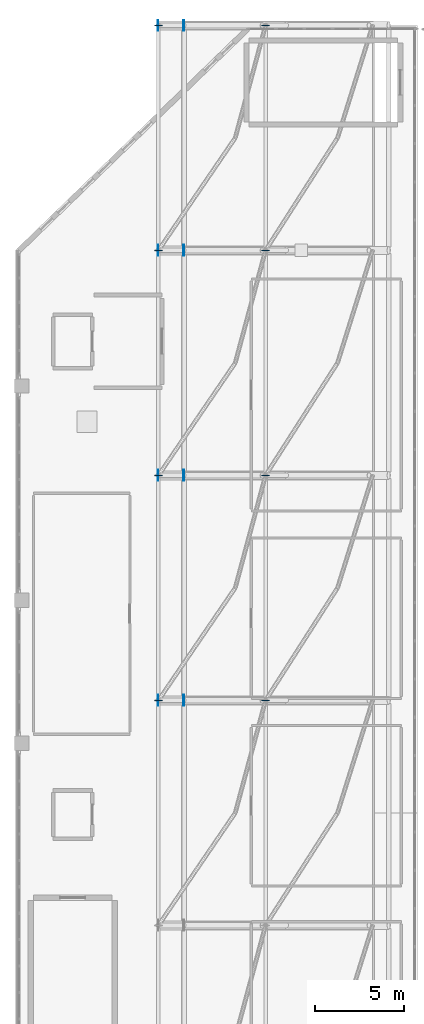
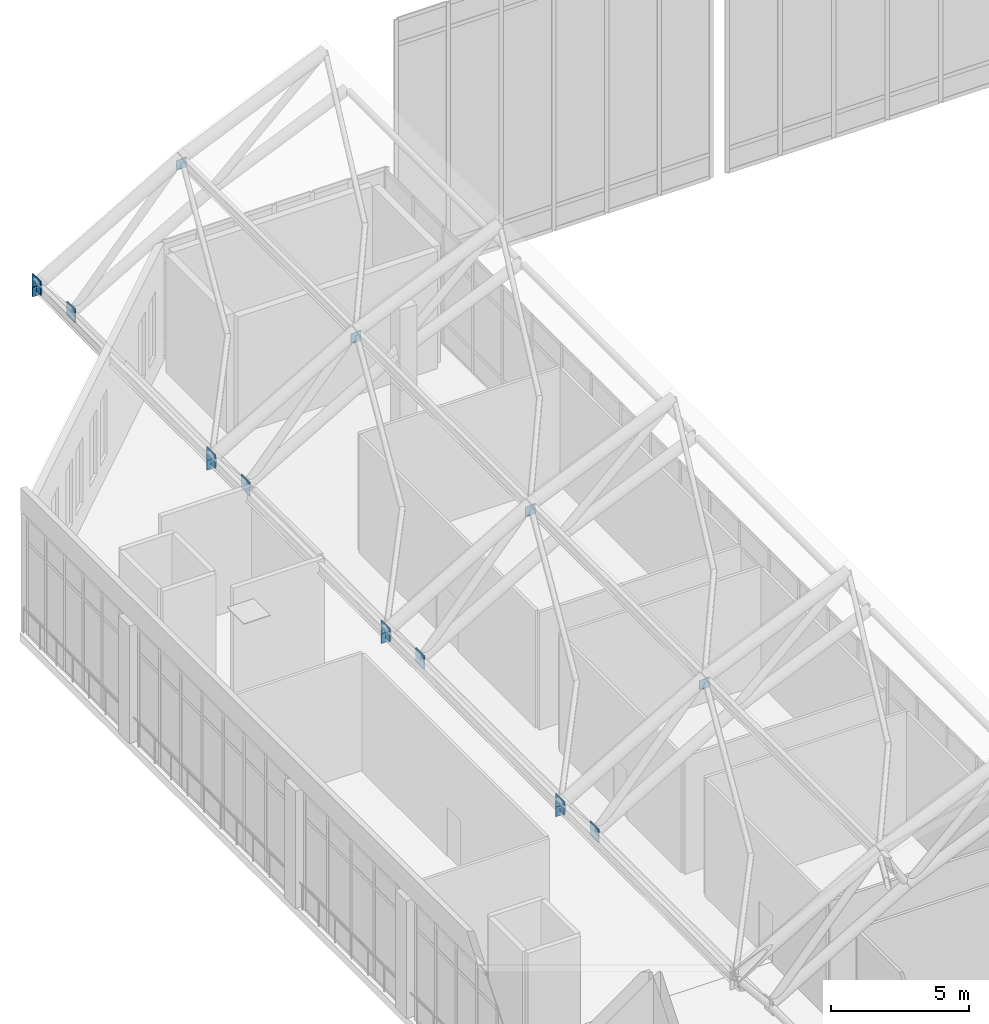
# One storey, part 34 of 42: 16 plates.
"""IFC4 building model written with IfcOpenShell, lengths in metres."""

from ifc_helpers import new_model, si_unit, derived_unit, direction, frame, origin, origin_2d, place, context, subcontext, project, spatial, rectangle, extrude, material, layer, layer_set, type_object, element, save


model = new_model("IFC4")

# Units and contexts
model_context = context("Model", 3, precision=1e-05, world=origin(), true_north=direction((0.0, 1.0)))
body_context = subcontext(model_context, "Body", "Model", "MODEL_VIEW")
ifc_project = project(units=[si_unit("LENGTHUNIT", "METRE"), si_unit("AREAUNIT", "SQUARE_METRE"), si_unit("VOLUMEUNIT", "CUBIC_METRE"), si_unit("PLANEANGLEUNIT", "RADIAN"), si_unit("MASSUNIT", "GRAM", prefix="KILO"), derived_unit("THERMALTRANSMITTANCEUNIT", [(si_unit("MASSUNIT", "GRAM", prefix="KILO"), 1), (si_unit("TIMEUNIT", "SECOND"), -3), (si_unit("THERMODYNAMICTEMPERATUREUNIT", "KELVIN"), -1)])], contexts=[model_context])

# Site, building, storey
site_placement = place(None, origin())
site = spatial("IfcSite", under=ifc_project, at=site_placement, CompositionType="ELEMENT")
building_placement = place(site_placement, origin())
building = spatial("IfcBuilding", under=site, at=building_placement, Name="Valcora Ridge Arena", CompositionType="ELEMENT")
storey_placement = place(building_placement, frame((0.0, 0.0, 26.39990234375)))
storey = spatial("IfcBuildingStorey", under=building, at=storey_placement, Name="L05", CompositionType="ELEMENT", Elevation=26.39990234375)

# Plates
ifc_material = material(Name="Steel ASTM A572 Grade 50", Category="steel")
ifc_layer_1 = layer(ifc_material, 0.044921875, Name="Steel ASTM A572 Grade 50")
ifc_layer_set_1 = layer_set([ifc_layer_1], Name="Steel ASTM A572 Grade 50")
plate_type_1 = type_object("IfcPlateType", Name="TY-PLATE-PL-CAP-550", PredefinedType="USERDEFINED", material=ifc_layer_set_1)
for number, where, z_axis, x_axis, name in (
    (1, (23.97998046875, 70.39990234375, 4.650146484375), (0.0, 0.0, 1.0), (1.0, 0.0, 0.0), "PL-CAP-550 SF-CP-0013"),
    (2, (25.418212890625, 70.39990234375, 2.93408203125), (0.0, 0.0, 1.0), (1.0, 0.0, 0.0), "PL-CAP-550 SF-CP-0014"),
    (3, (23.97998046875, 83.0, 4.650146484375), (0.0, 0.0, 1.0), (1.0, 0.0, 0.0), "PL-CAP-550 SF-CP-0016"),
    (4, (25.418212890625, 83.0, 2.93408203125), (0.0, 0.0, 1.0), (1.0, 0.0, 0.0), "PL-CAP-550 SF-CP-0017"),
    (5, (23.97998046875, 95.60009765625, 4.650146484375), (0.0, 0.0, 1.0), (1.0, 0.0, 0.0), "PL-CAP-550 SF-CP-0019"),
    (6, (25.418212890625, 95.60009765625, 2.93408203125), (0.0, 0.0, 1.0), (1.0, 0.0, 0.0), "PL-CAP-550 SF-CP-0020"),
    (7, (23.97998046875, 108.199951171875, 4.650146484375), (0.0, 0.0, 1.0), (1.0, 0.0, 0.0), "PL-CAP-550 SF-CP-0022"),
    (8, (25.418212890625, 108.199951171875, 2.93408203125), (0.0, 0.0, 1.0), (1.0, 0.0, 0.0), "PL-CAP-550 SF-CP-0023"),
):
    element("IfcPlate", number, at=place(storey_placement, frame(where, z_axis=z_axis, x_axis=x_axis)), inside=storey, type_object=plate_type_1, Name=name, ObjectType="GUSSET_PLATE", PredefinedType="USERDEFINED", context=body_context, shape_type="SweptSolid", body=[
        extrude(rectangle(XDim=0.044921875, YDim=0.60009765625, at=origin_2d()), origin(), (0.0, 0.0, 1.0), 0.60009765625),
    ])
ifc_layer_2 = layer(ifc_material, 0.031982421875, Name="Steel ASTM A572 Grade 50")
ifc_layer_set_2 = layer_set([ifc_layer_2], Name="Steel ASTM A572 Grade 50")
plate_type_2 = type_object("IfcPlateType", Name="TY-PLATE-PL-NODE-32", PredefinedType="USERDEFINED", material=ifc_layer_set_2)
for number, where, z_axis, x_axis, name in (
    (9, (24.0, 70.39990234375, 4.47021484375), (0.0, 0.0, 1.0), (1.0, 0.0, 0.0), "PL-NODE-32 SF-GP-0057"),
    (10, (30.0, 70.39990234375, 7.9521484375), (0.0, 0.0, 1.0), (1.0, 0.0, 0.0), "PL-NODE-32 SF-GP-0058"),
    (11, (24.0, 83.0, 4.47021484375), (0.0, 0.0, 1.0), (1.0, 0.0, 0.0), "PL-NODE-32 SF-GP-0071"),
    (12, (30.0, 83.0, 7.9521484375), (0.0, 0.0, 1.0), (1.0, 0.0, 0.0), "PL-NODE-32 SF-GP-0072"),
    (13, (24.0, 95.60009765625, 4.47021484375), (0.0, 0.0, 1.0), (1.0, 0.0, 0.0), "PL-NODE-32 SF-GP-0085"),
    (14, (30.0, 95.60009765625, 7.9521484375), (0.0, 0.0, 1.0), (1.0, 0.0, 0.0), "PL-NODE-32 SF-GP-0086"),
    (15, (24.0, 108.199951171875, 4.47021484375), (0.0, 0.0, 1.0), (1.0, 0.0, 0.0), "PL-NODE-32 SF-GP-0099"),
    (16, (30.0, 108.199951171875, 7.9521484375), (0.0, 0.0, 1.0), (1.0, 0.0, 0.0), "PL-NODE-32 SF-GP-0100"),
):
    element("IfcPlate", number, at=place(storey_placement, frame(where, z_axis=z_axis, x_axis=x_axis)), inside=storey, type_object=plate_type_2, Name=name, ObjectType="GUSSET_PLATE", PredefinedType="USERDEFINED", context=body_context, shape_type="SweptSolid", body=[
        extrude(rectangle(XDim=0.419921875, YDim=0.031982421875, at=origin_2d()), origin(), (0.0, 0.0, 1.0), 0.419921875),
    ])

save(model, "model.ifc")
